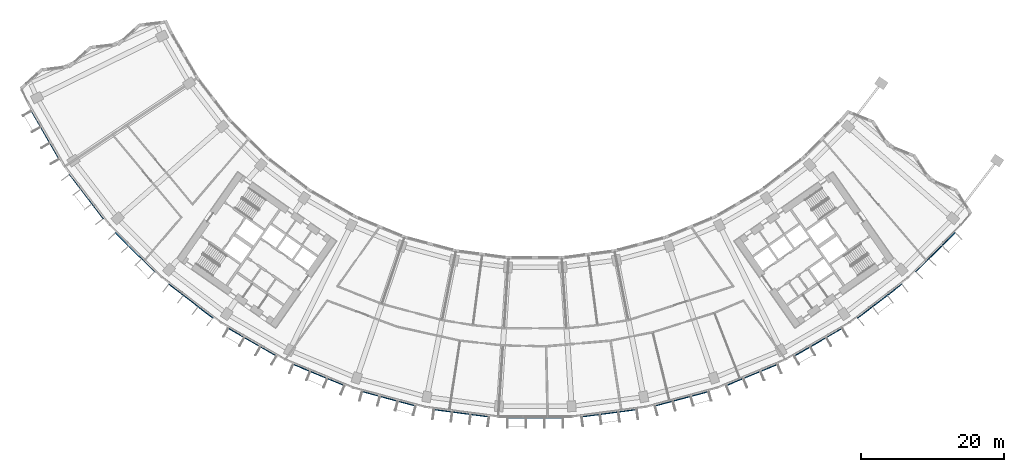
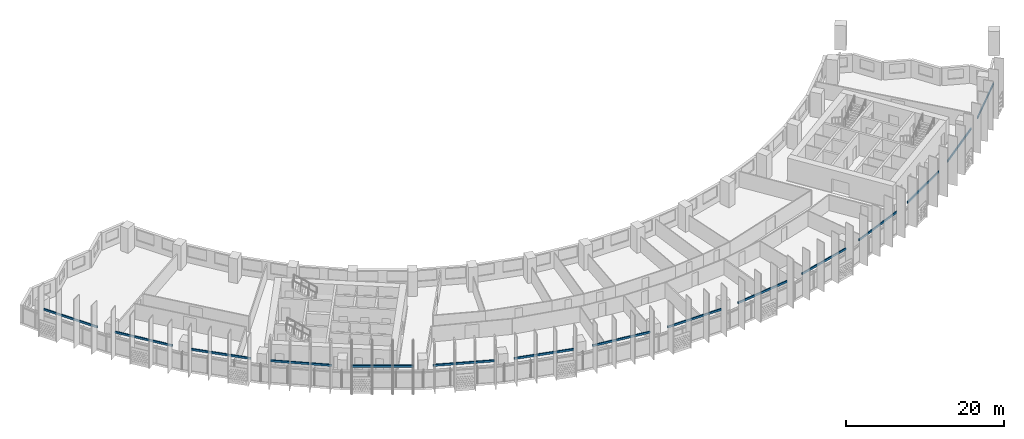
# One storey, part 9 of 30: 15 discrete accessories.
"""IFC4 building model written with IfcOpenShell, lengths in metres."""

from ifc_helpers import new_model, si_unit, direction, frame, origin, origin_2d, place, context, subcontext, project, spatial, rectangle, extrude, material, type_object, element, save


model = new_model("IFC4")

# Units and contexts
model_context = context("Model", 3, precision=1e-05, world=origin(), true_north=direction((0.0, 1.0)))
body_context = subcontext(model_context, "Body", "Model", "MODEL_VIEW")
ifc_project = project(units=[si_unit("LENGTHUNIT", "METRE"), si_unit("AREAUNIT", "SQUARE_METRE"), si_unit("VOLUMEUNIT", "CUBIC_METRE"), si_unit("PLANEANGLEUNIT", "RADIAN"), si_unit("MASSUNIT", "GRAM", prefix="KILO")], contexts=[model_context])

# Site, building, storey
site_placement = place(None, origin())
site = spatial("IfcSite", under=ifc_project, at=site_placement, CompositionType="ELEMENT")
building_placement = place(site_placement, origin())
building = spatial("IfcBuilding", under=site, at=building_placement, Name="Qamariyya Broadcast Tower", CompositionType="ELEMENT")
storey_placement = place(building_placement, frame((0.0, 0.0, 110.10009765625)))
storey = spatial("IfcBuildingStorey", under=building, at=storey_placement, Name="L24", CompositionType="ELEMENT", Elevation=110.10009765625)

# Discrete accessories
ifc_material = material(Name="Stainless steel 316", Category="steel")
discrete_accessory_type = type_object("IfcDiscreteAccessoryType", Name="Slab edge fixing angle, stainless steel", PredefinedType="BRACKET", material=ifc_material)
for number, where, z_axis, x_axis, name in (
    (1, (-68.59375, -39.6025390625, 3.2998046875), (0.0, 0.0, 1.0), (0.5, -0.866025403784, 0.0), "e-br-L24-01-0"),
    (2, (-62.837646484375, -48.217041015625, 3.2998046875), (0.0, 0.0, 1.0), (0.608761429009, -0.793353340291, 0.0), "e-br-L24-02-0"),
    (3, (-56.006591796875, -56.006591796875, 3.2998046875), (0.0, 0.0, 1.0), (0.707106781187, -0.707106781187, 0.0), "e-br-L24-03-0"),
    (4, (-48.217041015625, -62.837646484375, 3.2998046875), (0.0, 0.0, 1.0), (0.793353340291, -0.608761429009, 0.0), "e-br-L24-04-0"),
    (5, (-39.6025390625, -68.59375, 3.2998046875), (0.0, 0.0, 1.0), (0.866025403784, -0.5, 0.0), "e-br-L24-05-0"),
    (6, (-30.310546875, -73.176025390625, 3.2998046875), (0.0, 0.0, 1.0), (0.923879532511, -0.382683432365, 0.0), "e-br-L24-06-0"),
    (7, (-20.499755859375, -76.50634765625, 3.2998046875), (0.0, 0.0, 1.0), (0.965925826289, -0.258819045103, 0.0), "e-br-L24-07-0"),
    (8, (-10.33837890625, -78.527587890625, 3.2998046875), (0.0, 0.0, 1.0), (0.991444861374, -0.13052619222, 0.0), "e-br-L24-08-0"),
    (9, (0.0, -79.205322265625, 3.2998046875), (0.0, 0.0, 1.0), (1.0, 0.0, 0.0), "e-br-L24-09-0"),
    (10, (10.33837890625, -78.527587890625, 3.2998046875), (0.0, 0.0, 1.0), (0.991444861374, 0.13052619222, 0.0), "e-br-L24-10-0"),
    (11, (20.499755859375, -76.50634765625, 3.2998046875), (0.0, 0.0, 1.0), (0.965925826289, 0.258819045103, 0.0), "e-br-L24-11-0"),
    (12, (30.310546875, -73.176025390625, 3.2998046875), (0.0, 0.0, 1.0), (0.923879532511, 0.382683432365, 0.0), "e-br-L24-12-0"),
    (13, (39.6025390625, -68.59375, 3.2998046875), (0.0, 0.0, 1.0), (0.866025403784, 0.5, 0.0), "e-br-L24-13-0"),
    (14, (48.217041015625, -62.837646484375, 3.2998046875), (0.0, 0.0, 1.0), (0.793353340291, 0.608761429009, 0.0), "e-br-L24-14-0"),
    (15, (56.006591796875, -56.006591796875, 3.2998046875), (0.0, 0.0, 1.0), (0.707106781187, 0.707106781187, 0.0), "e-br-L24-15-0"),
):
    element("IfcDiscreteAccessory", number, at=place(storey_placement, frame(where, z_axis=z_axis, x_axis=x_axis)), inside=storey, type_object=discrete_accessory_type, Name=name, PredefinedType="BRACKET", context=body_context, shape_type="SweptSolid", body=[
        extrude(rectangle(XDim=7.879638671875, YDim=0.14990234375, at=origin_2d()), origin(), (0.0, 0.0, 1.0), 0.300048828125),
    ])

save(model, "model.ifc")
